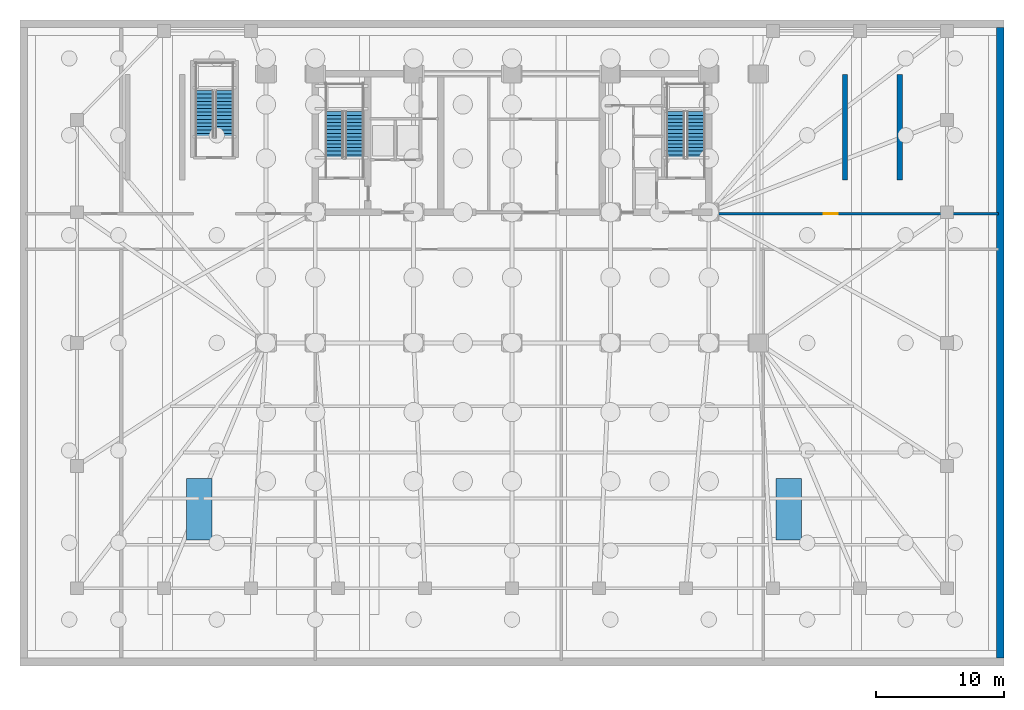
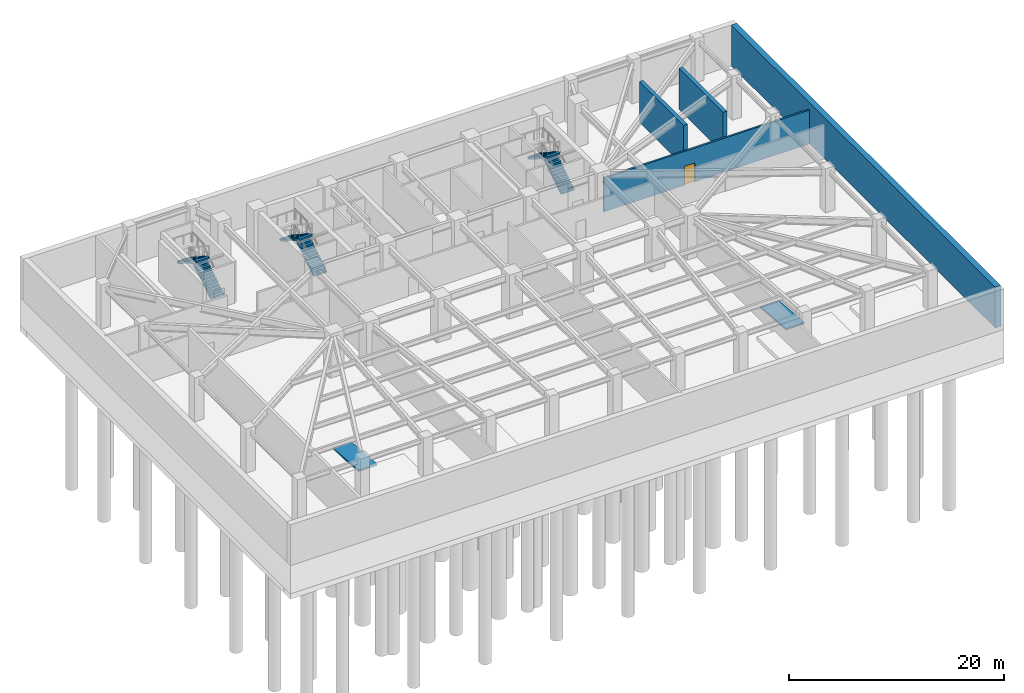
# One storey, part 6 of 9: 6 stair flights, 4 walls, 2 ramp flights, 1 door, 1 opening, 5 elements without a shape of their own.
"""IFC4 building model written with IfcOpenShell, lengths in metres."""

from ifc_helpers import new_model, si_unit, direction, frame, frame_2d, origin, place, context, subcontext, project, spatial, polyline, rectangle, outline, extrude, material, layer, layer_set, type_object, element, fill, aggregate, save


model = new_model("IFC4")

# Units and contexts
model_context = context("Model", 3, precision=1e-05, world=origin(), true_north=direction((0.0, 1.0)))
body_context = subcontext(model_context, "Body", "Model", "MODEL_VIEW")
ifc_project = project(units=[si_unit("LENGTHUNIT", "METRE"), si_unit("AREAUNIT", "SQUARE_METRE"), si_unit("VOLUMEUNIT", "CUBIC_METRE"), si_unit("PLANEANGLEUNIT", "RADIAN"), si_unit("MASSUNIT", "GRAM", prefix="KILO")], contexts=[model_context])

# Site, building, storey
site_placement = place(None, origin())
site = spatial("IfcSite", under=ifc_project, at=site_placement, CompositionType="ELEMENT")
building_placement = place(site_placement, origin())
building = spatial("IfcBuilding", under=site, at=building_placement, Name="Yelkora Congress Tower", CompositionType="ELEMENT")
storey_placement = place(building_placement, frame((0.0, 0.0, -10.0)))
storey = spatial("IfcBuildingStorey", under=building, at=storey_placement, Name="B02", CompositionType="ELEMENT", Elevation=-10.0)

# Walls
ifc_material_1 = material(Name="Concrete C50/60", Category="concrete")
ifc_layer_1 = layer(ifc_material_1, 0.39990234375)
ifc_layer_set_1 = layer_set([ifc_layer_1], Name="Concrete C50/60")
wall_type_1 = type_object("IfcWallType", Name="WALL-CORE-INT-400", PredefinedType="SHEAR", material=ifc_layer_set_1)
for number, where, z_axis, x_axis, name in (
    (1, (64.39990234375, 37.89990234375, 0.0), (0.0, 0.0, 1.0), (0.0, 1.0, 0.0), "B02 STP2 West Shear Wall"),
    (2, (68.659912109375, 37.89990234375, 0.0), (0.0, 0.0, 1.0), (0.0, 1.0, 0.0), "B02 STP2 East Shear Wall"),
):
    element("IfcWall", number, at=place(storey_placement, frame(where, z_axis=z_axis, x_axis=x_axis)), inside=storey, type_object=wall_type_1, Name=name, PredefinedType="SHEAR", context=body_context, shape_type="SweptSolid", body=[
        extrude(rectangle(XDim=8.25, YDim=0.39990234375, at=frame_2d((4.125, 0.0))), origin(), (0.0, 0.0, 1.0), 4.64990234375),
    ])

# Wall, opening, door
ifc_material_2 = material(Name="Autoclaved aerated concrete blockwork", Category="masonry")
ifc_layer_2 = layer(ifc_material_2, 0.199951171875)
ifc_layer_set_2 = layer_set([ifc_layer_2], Name="Autoclaved aerated concrete blockwork")
wall_type_2 = type_object("IfcWallType", Name="WALL-INT-200-R120", PredefinedType="PARTITIONING", material=ifc_layer_set_2)
wall_1_placement = place(storey_placement, frame((54.050048828125, 35.280029296875, 0.0), z_axis=(0.0, 0.0, 1.0), x_axis=(1.0, 0.0, 0.0)))
wall_1 = element("IfcWall", 3, at=wall_1_placement, inside=storey, type_object=wall_type_2, Name="B02 Partition Wall 23", PredefinedType="PARTITIONING", context=body_context, shape_type="SweptSolid", body=[
    extrude(rectangle(XDim=22.329833984375, YDim=0.199951171875, at=frame_2d((11.1650390625, 0.0))), origin(), (0.0, 0.0, 1.0), 3.844970703125),
])
opening_placement = place(wall_1_placement, frame((8.680908203125, 0.0, 0.0)))
opening = element("IfcOpeningElement", 4, at=opening_placement, cuts=wall_1, Name="Opening DR-110F9", PredefinedType="OPENING", context=body_context, shape_type="SweptSolid", body=[
    extrude(rectangle(XDim=1.10009765625, YDim=2.14990234375, at=frame_2d((0.550048828125, 1.074951171875))), frame((0.0, 0.10986328125, 0.0), z_axis=(0.0, -1.0, 0.0), x_axis=(1.0, 0.0, 0.0)), (0.0, 0.0, 1.0), 0.219970703125),
])
ifc_material_3 = material(Name="Galvanised steel fire door leaf", Category="steel")
door_type = type_object("IfcDoorType", Name="DOOR-FD90-1100", OperationType="NOTDEFINED", PredefinedType="DOOR", material=ifc_material_3)
door_placement = place(opening_placement, origin())
door = element("IfcDoor", 5, at=door_placement, inside=storey, type_object=door_type, Name="B02 Interior Door 18", OperationType="SINGLE_SWING_RIGHT", OverallHeight=2.14990234375, OverallWidth=1.10009765625, PredefinedType="DOOR", context=body_context, shape_type="SweptSolid", body=[
    extrude(rectangle(XDim=1.10009765625, YDim=2.14990234375, at=frame_2d((0.550048828125, 1.074951171875))), frame((0.0, 0.02490234375, 0.0), z_axis=(0.0, -1.0, 0.0), x_axis=(1.0, 0.0, 0.0)), (0.0, 0.0, 1.0), 0.050048828125),
])
fill(opening, door)

# Wall
ifc_layer_3 = layer(ifc_material_1, 0.60009765625)
ifc_layer_set_3 = layer_set([ifc_layer_3], Name="Concrete C50/60")
wall_type_3 = type_object("IfcWallType", Name="WALL-RET-600", PredefinedType="USERDEFINED", material=ifc_layer_set_3)
wall_2_placement = place(storey_placement, frame((76.5, 0.60009765625, 0.0), z_axis=(0.0, 0.0, 1.0), x_axis=(0.0, 1.0, 0.0)))
element("IfcWall", 6, at=wall_2_placement, inside=storey, type_object=wall_type_3, Name="B02 East Retaining Wall", ObjectType="RETAININGWALL", PredefinedType="USERDEFINED", context=body_context, shape_type="SweptSolid", body=[
    extrude(rectangle(XDim=49.199951171875, YDim=0.60009765625, at=frame_2d((24.60009765625, 0.0))), origin(), (0.0, 0.0, 1.0), 4.64990234375),
])

# Stair, stair flights
ifc_material_4 = material(Name="Concrete C40/50", Category="concrete")
stair_type_1 = type_object("IfcStairType", Name="STAIR-HT-1400-R28-179", PredefinedType="HALF_TURN_STAIR", material=ifc_material_4)
stair_1_placement = place(storey_placement, origin())
stair_1 = element("IfcStair", 7, at=stair_1_placement, inside=storey, type_object=stair_type_1, Name="Basement Exit Stair ST-B1 (B02)", PredefinedType="HALF_TURN_STAIR")
stair_flight_type_1 = type_object("IfcStairFlightType", Name="FLIGHT-1400-N14-R179-G280", PredefinedType="STRAIGHT", material=ifc_material_4)
stair_flight_1_placement = place(storey_placement, frame((15.9599609375, 41.25, 0.0), z_axis=(0.0, 0.0, 1.0), x_axis=(0.0, 1.0, 0.0)))
stair_flight_1 = element("IfcStairFlight", 8, at=stair_flight_1_placement, type_object=stair_flight_type_1, Name="ST-B1 B02 Flight 1", NumberOfRisers=14, NumberOfTreads=13, PredefinedType="STRAIGHT", RiserHeight=0.178571429, TreadLength=0.28, context=body_context, shape_type="SweptSolid", body=[
    extrude(outline(polyline([(0.0, 0.0), (0.0, 0.178466796875), (0.280029296875, 0.178466796875), (0.280029296875, 0.357177734375), (0.56005859375, 0.357177734375), (0.56005859375, 0.53564453125), (0.840087890625, 0.53564453125), (0.840087890625, 0.71435546875), (1.1201171875, 0.71435546875), (1.1201171875, 0.892822265625), (1.39990234375, 0.892822265625), (1.39990234375, 1.071533203125), (1.679931640625, 1.071533203125), (1.679931640625, 1.25), (1.9599609375, 1.25), (1.9599609375, 1.428466796875), (2.239990234375, 1.428466796875), (2.239990234375, 1.607177734375), (2.52001953125, 1.607177734375), (2.52001953125, 1.78564453125), (2.800048828125, 1.78564453125), (2.800048828125, 1.96435546875), (3.080078125, 1.96435546875), (3.080078125, 2.142822265625), (3.360107421875, 2.142822265625), (3.360107421875, 2.321533203125), (3.639892578125, 2.321533203125), (3.639892578125, 2.5), (3.639892578125, 2.1318359375), (0.29736328125, 0.0), (0.0, 0.0)])), frame((0.0, 0.699951171875, 0.0), z_axis=(0.0, -1.0, 0.0), x_axis=(1.0, 0.0, 0.0)), (0.0, 0.0, 1.0), 1.39990234375),
])
stair_flight_2_placement = place(storey_placement, frame((14.39990234375, 44.889892578125, 2.5), z_axis=(0.0, 0.0, 1.0), x_axis=(0.0, -1.0, 0.0)))
stair_flight_2 = element("IfcStairFlight", 9, at=stair_flight_2_placement, type_object=stair_flight_type_1, Name="ST-B1 B02 Flight 2", NumberOfRisers=14, NumberOfTreads=13, PredefinedType="STRAIGHT", RiserHeight=0.178571429, TreadLength=0.28, context=body_context, shape_type="SweptSolid", body=[
    extrude(outline(polyline([(0.0, 0.0), (0.0, 0.178466796875), (0.280029296875, 0.178466796875), (0.280029296875, 0.357177734375), (0.56005859375, 0.357177734375), (0.56005859375, 0.53564453125), (0.840087890625, 0.53564453125), (0.840087890625, 0.71435546875), (1.1201171875, 0.71435546875), (1.1201171875, 0.892822265625), (1.39990234375, 0.892822265625), (1.39990234375, 1.071533203125), (1.679931640625, 1.071533203125), (1.679931640625, 1.25), (1.9599609375, 1.25), (1.9599609375, 1.428466796875), (2.239990234375, 1.428466796875), (2.239990234375, 1.607177734375), (2.52001953125, 1.607177734375), (2.52001953125, 1.78564453125), (2.800048828125, 1.78564453125), (2.800048828125, 1.96435546875), (3.080078125, 1.96435546875), (3.080078125, 2.142822265625), (3.360107421875, 2.142822265625), (3.360107421875, 2.321533203125), (3.639892578125, 2.321533203125), (3.639892578125, 2.5), (3.639892578125, 2.1318359375), (0.29736328125, 0.0), (0.0, 0.0)])), frame((0.0, 0.699951171875, 0.0), z_axis=(0.0, -1.0, 0.0), x_axis=(1.0, 0.0, 0.0)), (0.0, 0.0, 1.0), 1.39990234375),
])
aggregate(stair_1, [stair_flight_1, stair_flight_2])

stair_type_2 = type_object("IfcStairType", Name="STAIR-HT-1420-R28-179", PredefinedType="HALF_TURN_STAIR", material=ifc_material_4)
stair_2_placement = place(storey_placement, origin())
stair_2 = element("IfcStair", 10, at=stair_2_placement, inside=storey, type_object=stair_type_2, Name="West Core Protected Exit Stair ST-01 (B02)", PredefinedType="HALF_TURN_STAIR")
stair_flight_type_2 = type_object("IfcStairFlightType", Name="FLIGHT-1420-N14-R179-G280", PredefinedType="STRAIGHT", material=ifc_material_4)
stair_flight_3_placement = place(storey_placement, frame((26.110107421875, 39.60009765625, 0.0), z_axis=(0.0, 0.0, 1.0), x_axis=(0.0, 1.0, 0.0)))
stair_flight_3 = element("IfcStairFlight", 11, at=stair_flight_3_placement, type_object=stair_flight_type_2, Name="ST-01 B02 Flight 1", NumberOfRisers=14, NumberOfTreads=13, PredefinedType="STRAIGHT", RiserHeight=0.178571429, TreadLength=0.28, context=body_context, shape_type="SweptSolid", body=[
    extrude(outline(polyline([(0.0, 0.0), (0.0, 0.178466796875), (0.280029296875, 0.178466796875), (0.280029296875, 0.357177734375), (0.56005859375, 0.357177734375), (0.56005859375, 0.53564453125), (0.840087890625, 0.53564453125), (0.840087890625, 0.71435546875), (1.1201171875, 0.71435546875), (1.1201171875, 0.892822265625), (1.39990234375, 0.892822265625), (1.39990234375, 1.071533203125), (1.679931640625, 1.071533203125), (1.679931640625, 1.25), (1.9599609375, 1.25), (1.9599609375, 1.428466796875), (2.239990234375, 1.428466796875), (2.239990234375, 1.607177734375), (2.52001953125, 1.607177734375), (2.52001953125, 1.78564453125), (2.800048828125, 1.78564453125), (2.800048828125, 1.96435546875), (3.080078125, 1.96435546875), (3.080078125, 2.142822265625), (3.360107421875, 2.142822265625), (3.360107421875, 2.321533203125), (3.639892578125, 2.321533203125), (3.639892578125, 2.5), (3.639892578125, 2.1318359375), (0.29736328125, 0.0), (0.0, 0.0)])), frame((0.0, 0.7099609375, 0.0), z_axis=(0.0, -1.0, 0.0), x_axis=(1.0, 0.0, 0.0)), (0.0, 0.0, 1.0), 1.419921875),
])
stair_flight_4_placement = place(storey_placement, frame((24.530029296875, 43.239990234375, 2.5), z_axis=(0.0, 0.0, 1.0), x_axis=(0.0, -1.0, 0.0)))
stair_flight_4 = element("IfcStairFlight", 12, at=stair_flight_4_placement, type_object=stair_flight_type_2, Name="ST-01 B02 Flight 2", NumberOfRisers=14, NumberOfTreads=13, PredefinedType="STRAIGHT", RiserHeight=0.178571429, TreadLength=0.28, context=body_context, shape_type="SweptSolid", body=[
    extrude(outline(polyline([(0.0, 0.0), (0.0, 0.178466796875), (0.280029296875, 0.178466796875), (0.280029296875, 0.357177734375), (0.56005859375, 0.357177734375), (0.56005859375, 0.53564453125), (0.840087890625, 0.53564453125), (0.840087890625, 0.71435546875), (1.1201171875, 0.71435546875), (1.1201171875, 0.892822265625), (1.39990234375, 0.892822265625), (1.39990234375, 1.071533203125), (1.679931640625, 1.071533203125), (1.679931640625, 1.25), (1.9599609375, 1.25), (1.9599609375, 1.428466796875), (2.239990234375, 1.428466796875), (2.239990234375, 1.607177734375), (2.52001953125, 1.607177734375), (2.52001953125, 1.78564453125), (2.800048828125, 1.78564453125), (2.800048828125, 1.96435546875), (3.080078125, 1.96435546875), (3.080078125, 2.142822265625), (3.360107421875, 2.142822265625), (3.360107421875, 2.321533203125), (3.639892578125, 2.321533203125), (3.639892578125, 2.5), (3.639892578125, 2.1318359375), (0.29736328125, 0.0), (0.0, 0.0)])), frame((0.0, 0.7099609375, 0.0), z_axis=(0.0, -1.0, 0.0), x_axis=(1.0, 0.0, 0.0)), (0.0, 0.0, 1.0), 1.419921875),
])
aggregate(stair_2, [stair_flight_3, stair_flight_4])

stair_3_placement = place(storey_placement, origin())
stair_3 = element("IfcStair", 13, at=stair_3_placement, inside=storey, type_object=stair_type_2, Name="East Core Protected Exit Stair ST-02 (B02)", PredefinedType="HALF_TURN_STAIR")
stair_flight_5_placement = place(storey_placement, frame((52.75, 39.60009765625, 0.0), z_axis=(0.0, 0.0, 1.0), x_axis=(0.0, 1.0, 0.0)))
stair_flight_5 = element("IfcStairFlight", 14, at=stair_flight_5_placement, type_object=stair_flight_type_2, Name="ST-02 B02 Flight 1", NumberOfRisers=14, NumberOfTreads=13, PredefinedType="STRAIGHT", RiserHeight=0.178571429, TreadLength=0.28, context=body_context, shape_type="SweptSolid", body=[
    extrude(outline(polyline([(0.0, 0.0), (0.0, 0.178466796875), (0.280029296875, 0.178466796875), (0.280029296875, 0.357177734375), (0.56005859375, 0.357177734375), (0.56005859375, 0.53564453125), (0.840087890625, 0.53564453125), (0.840087890625, 0.71435546875), (1.1201171875, 0.71435546875), (1.1201171875, 0.892822265625), (1.39990234375, 0.892822265625), (1.39990234375, 1.071533203125), (1.679931640625, 1.071533203125), (1.679931640625, 1.25), (1.9599609375, 1.25), (1.9599609375, 1.428466796875), (2.239990234375, 1.428466796875), (2.239990234375, 1.607177734375), (2.52001953125, 1.607177734375), (2.52001953125, 1.78564453125), (2.800048828125, 1.78564453125), (2.800048828125, 1.96435546875), (3.080078125, 1.96435546875), (3.080078125, 2.142822265625), (3.360107421875, 2.142822265625), (3.360107421875, 2.321533203125), (3.639892578125, 2.321533203125), (3.639892578125, 2.5), (3.639892578125, 2.1318359375), (0.29736328125, 0.0), (0.0, 0.0)])), frame((0.0, 0.7099609375, 0.0), z_axis=(0.0, -1.0, 0.0), x_axis=(1.0, 0.0, 0.0)), (0.0, 0.0, 1.0), 1.419921875),
])
stair_flight_6_placement = place(storey_placement, frame((51.169921875, 43.239990234375, 2.5), z_axis=(0.0, 0.0, 1.0), x_axis=(0.0, -1.0, 0.0)))
stair_flight_6 = element("IfcStairFlight", 15, at=stair_flight_6_placement, type_object=stair_flight_type_2, Name="ST-02 B02 Flight 2", NumberOfRisers=14, NumberOfTreads=13, PredefinedType="STRAIGHT", RiserHeight=0.178571429, TreadLength=0.28, context=body_context, shape_type="SweptSolid", body=[
    extrude(outline(polyline([(0.0, 0.0), (0.0, 0.178466796875), (0.280029296875, 0.178466796875), (0.280029296875, 0.357177734375), (0.56005859375, 0.357177734375), (0.56005859375, 0.53564453125), (0.840087890625, 0.53564453125), (0.840087890625, 0.71435546875), (1.1201171875, 0.71435546875), (1.1201171875, 0.892822265625), (1.39990234375, 0.892822265625), (1.39990234375, 1.071533203125), (1.679931640625, 1.071533203125), (1.679931640625, 1.25), (1.9599609375, 1.25), (1.9599609375, 1.428466796875), (2.239990234375, 1.428466796875), (2.239990234375, 1.607177734375), (2.52001953125, 1.607177734375), (2.52001953125, 1.78564453125), (2.800048828125, 1.78564453125), (2.800048828125, 1.96435546875), (3.080078125, 1.96435546875), (3.080078125, 2.142822265625), (3.360107421875, 2.142822265625), (3.360107421875, 2.321533203125), (3.639892578125, 2.321533203125), (3.639892578125, 2.5), (3.639892578125, 2.1318359375), (0.29736328125, 0.0), (0.0, 0.0)])), frame((0.0, 0.7099609375, 0.0), z_axis=(0.0, -1.0, 0.0), x_axis=(1.0, 0.0, 0.0)), (0.0, 0.0, 1.0), 1.419921875),
])
aggregate(stair_3, [stair_flight_5, stair_flight_6])

# Ramp, ramp flight
ifc_layer_4 = layer(ifc_material_4, 0.199951171875)
ifc_layer_set_4 = layer_set([ifc_layer_4], Name="Concrete C40/50")
ramp_type = type_object("IfcRampType", Name="RAMP-PED-200", PredefinedType="STRAIGHT_RUN_RAMP", material=ifc_layer_set_4)
ramp_1_placement = place(storey_placement, origin())
ramp_1 = element("IfcRamp", 16, at=ramp_1_placement, inside=storey, type_object=ramp_type, Name="B02 Step-Free Access Ramp RMP-B02-P1", PredefinedType="STRAIGHT_RUN_RAMP")
ifc_layer_5 = layer(ifc_material_4, 0.199951171875)
ifc_layer_set_5 = layer_set([ifc_layer_5], Name="Concrete C40/50")
ramp_flight_type = type_object("IfcRampFlightType", Name="RAMPFLIGHT-PED-200", PredefinedType="STRAIGHT", material=ifc_layer_set_5)
ramp_flight_1_placement = place(storey_placement, frame((14.0, 9.800048828125, 0.39990234375), z_axis=(0.0, 0.0, 1.0), x_axis=(0.0, 1.0, 0.0)))
ramp_flight_1 = element("IfcRampFlight", 17, at=ramp_flight_1_placement, type_object=ramp_flight_type, Name="B02 Step-Free Access Ramp Flight RMP-B02-P1", PredefinedType="STRAIGHT", context=body_context, shape_type="SweptSolid", body=[
    extrude(outline(polyline([(0.0, -0.199951171875), (4.800048828125, -0.599853515625), (4.800048828125, -0.39990234375), (0.0, 0.0), (0.0, -0.199951171875)])), frame((0.0, 1.0, 0.0), z_axis=(0.0, -1.0, 0.0), x_axis=(1.0, 0.0, 0.0)), (0.0, 0.0, 1.0), 2.0),
])
aggregate(ramp_1, [ramp_flight_1])

ramp_2_placement = place(storey_placement, origin())
ramp_2 = element("IfcRamp", 18, at=ramp_2_placement, inside=storey, type_object=ramp_type, Name="B02 Step-Free Access Ramp RMP-B02-P2", PredefinedType="STRAIGHT_RUN_RAMP")
ramp_flight_2_placement = place(storey_placement, frame((60.0, 9.800048828125, 0.39990234375), z_axis=(0.0, 0.0, 1.0), x_axis=(0.0, 1.0, 0.0)))
ramp_flight_2 = element("IfcRampFlight", 19, at=ramp_flight_2_placement, type_object=ramp_flight_type, Name="B02 Step-Free Access Ramp Flight RMP-B02-P2", PredefinedType="STRAIGHT", context=body_context, shape_type="SweptSolid", body=[
    extrude(outline(polyline([(0.0, -0.199951171875), (4.800048828125, -0.599853515625), (4.800048828125, -0.39990234375), (0.0, 0.0), (0.0, -0.199951171875)])), frame((0.0, 1.0, 0.0), z_axis=(0.0, -1.0, 0.0), x_axis=(1.0, 0.0, 0.0)), (0.0, 0.0, 1.0), 2.0),
])
aggregate(ramp_2, [ramp_flight_2])

save(model, "model.ifc")
